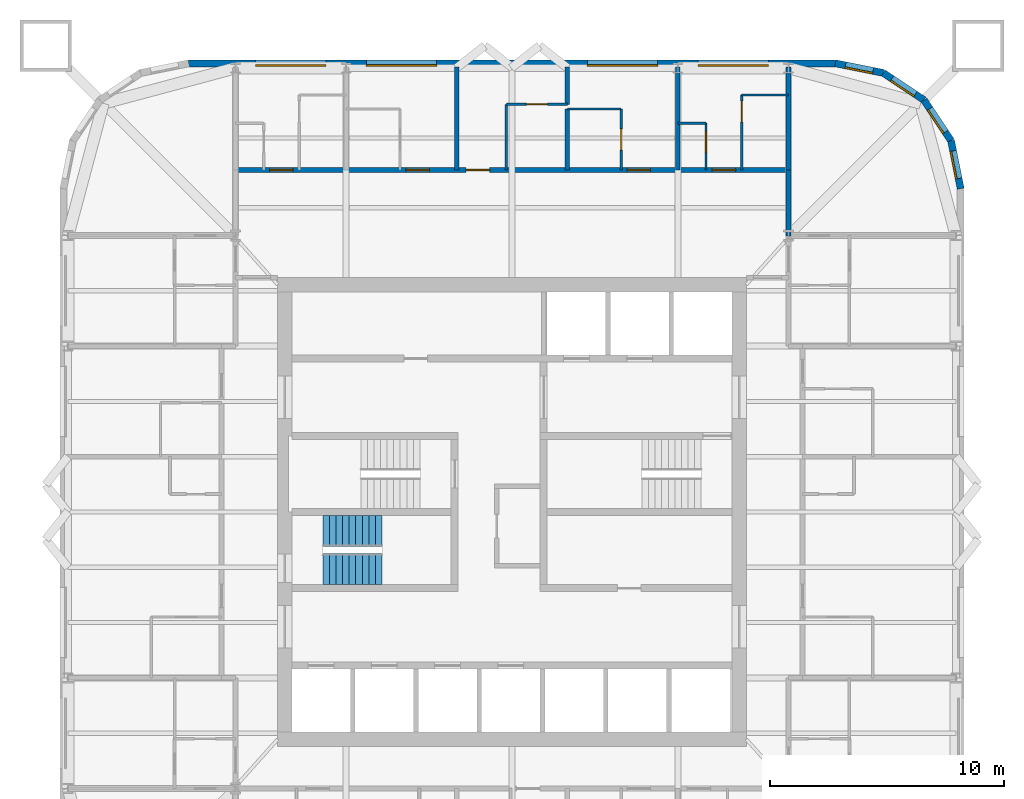
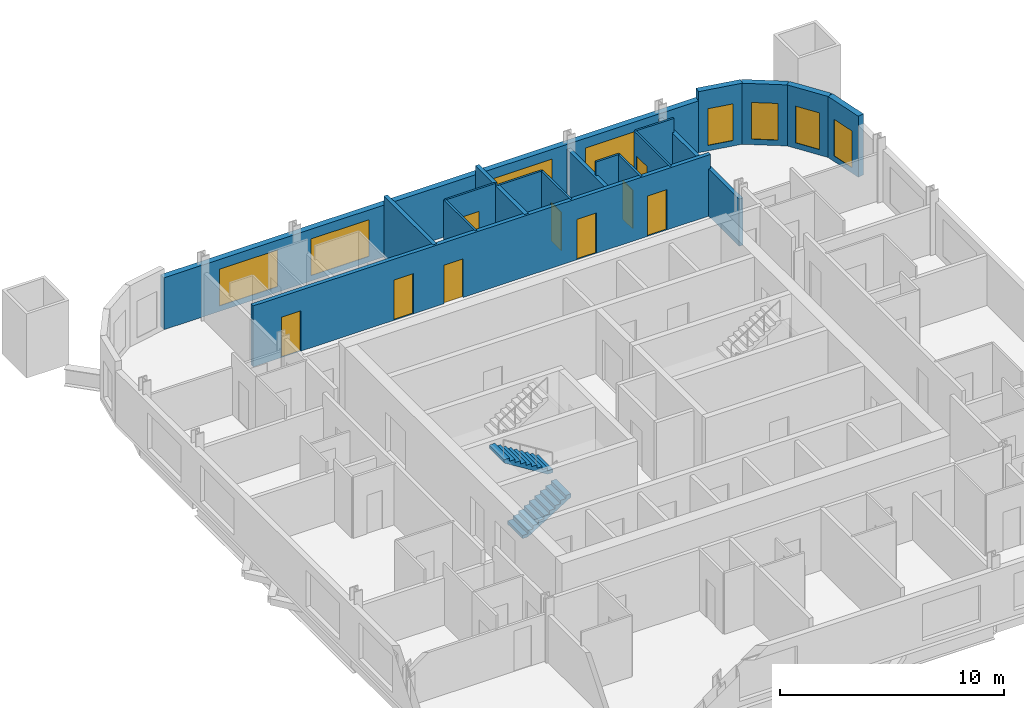
# One storey, part 7 of 9: 20 walls, 9 doors, 8 windows, 2 stair flights, 17 openings, 1 element without a shape of its own.
"""IFC4 building model written with IfcOpenShell, lengths in metres."""

import ifcopenshell
import ifcopenshell.guid

model = None  # the IFC model being written
_history = None  # IfcOwnerHistory: only IFC2X3 demands one
_inside = {}  # id of a spatial element -> (the spatial element, [elements in it])
_under = {}  # id of a project, library or spatial element -> (it, [spatial elements below it])
_declared = {}  # id of a project -> (the project, [libraries it declares])
_typed = {}  # id of a type object -> (the type object, [elements of that type])
_made_of = {}  # id of a material, layer set ... -> (it, [elements and type objects made of it])


def new_model(schema):
    """Start an empty IFC model of exactly this schema.

    Asked for "IFC4X3", IfcOpenShell would pick the latest addendum, in which some entities
    have other attributes; the version numbers below select the first issue.
    IFC2X3 requires an IfcOwnerHistory on every rooted entity: one is made here for all.
    """
    global model, _history
    if schema == "IFC4X3":
        model = ifcopenshell.file(schema_version=(4, 3, 0, 0))
    else:
        model = ifcopenshell.file(schema=schema)
    _inside.clear()
    _under.clear()
    _declared.clear()
    _typed.clear()
    _made_of.clear()
    _history = None
    if model.schema == "IFC2X3":
        org = make("IfcOrganization", Name="unknown")
        user = make(
            "IfcPersonAndOrganization",
            ThePerson=make("IfcPerson", FamilyName="unknown"),
            TheOrganization=org,
        )
        app = make(
            "IfcApplication",
            ApplicationDeveloper=org,
            Version="unknown",
            ApplicationFullName="unknown",
            ApplicationIdentifier="unknown",
        )
        _history = make(
            "IfcOwnerHistory",
            OwningUser=user,
            OwningApplication=app,
            ChangeAction="ADDED",
            CreationDate=0,
        )
    return model


def make(cls, **values):
    """One entity of the class cls with the attributes given. An attribute that is None is left unset."""
    return model.create_entity(
        cls, **{name: value for name, value in values.items() if value is not None}
    )


def rooted(cls, **values):
    """An entity with a GlobalId (a new one), such as an element, a storey or a relation."""
    return make(cls, GlobalId=ifcopenshell.guid.new(), OwnerHistory=_history, **values)


def si_unit(unit_type, name, prefix=None):
    """IfcSIUnit, for example si_unit("LENGTHUNIT", "METRE", prefix="MILLI")."""
    return make("IfcSIUnit", UnitType=unit_type, Prefix=prefix, Name=name)


def assignment(units):
    """IfcUnitAssignment: the units of a project."""
    return None if units is None else make("IfcUnitAssignment", Units=units)


def point(xyz):
    """IfcCartesianPoint."""
    return None if xyz is None else make("IfcCartesianPoint", Coordinates=xyz)


def direction(xyz):
    """IfcDirection."""
    return None if xyz is None else make("IfcDirection", DirectionRatios=xyz)


def frame(location, z_axis=None, x_axis=None):
    """IfcAxis2Placement3D, a coordinate frame: its origin and axes. An axis left out is left unset."""
    return make(
        "IfcAxis2Placement3D",
        Location=point(location),
        Axis=direction(z_axis),
        RefDirection=direction(x_axis),
    )


def frame_2d(location, x_axis=None):
    """IfcAxis2Placement2D, a coordinate frame in the plane: its origin and x axis."""
    return make(
        "IfcAxis2Placement2D", Location=point(location), RefDirection=direction(x_axis)
    )


def origin():
    """The frame at (0, 0, 0) with its axes left unset."""
    return frame((0.0, 0.0, 0.0))


def place(relative_to, where):
    """IfcLocalPlacement: puts the frame where relative to a parent placement (None: the world)."""
    return make(
        "IfcLocalPlacement", PlacementRelTo=relative_to, RelativePlacement=where
    )


def context(
    kind, dimensions, precision=None, world=None, true_north=None, identifier=None
):
    """IfcGeometricRepresentationContext, for example the 3D "Model" context."""
    return make(
        "IfcGeometricRepresentationContext",
        ContextIdentifier=identifier,
        ContextType=kind,
        CoordinateSpaceDimension=dimensions,
        Precision=precision,
        WorldCoordinateSystem=world,
        TrueNorth=true_north,
    )


def subcontext(parent, identifier, kind, view, scale=None):
    """IfcGeometricRepresentationSubContext, for example "Body" below "Model"."""
    return make(
        "IfcGeometricRepresentationSubContext",
        ContextIdentifier=identifier,
        ContextType=kind,
        ParentContext=parent,
        TargetScale=scale,
        TargetView=view,
    )


def project(units=None, contexts=None):
    """IfcProject with its units and contexts."""
    return rooted(
        "IfcProject",
        Name="project",
        RepresentationContexts=contexts,
        UnitsInContext=assignment(units),
    )


def spatial(cls, under=None, at=None, **own):
    """A site, building, storey or space (cls), placed at a placement, below another one or the project."""
    s = rooted(cls, ObjectPlacement=at, **own)
    if under is not None:
        _under.setdefault(under.id(), (under, []))[1].append(s)
    return s


def polyline(points):
    """IfcPolyline through the points."""
    return make("IfcPolyline", Points=[point(p) for p in points])


def profile(cls, at=None, kind="AREA", **sizes):
    """A parametric profile (cls). Its sizes go by their IFC names, for example OverallWidth=200.0."""
    return make(cls, ProfileType=kind, Position=at, **sizes)


def rectangle(**sizes):
    """IfcRectangleProfileDef."""
    return profile("IfcRectangleProfileDef", **sizes)


def outline(outer, holes=None, kind="AREA"):
    """IfcArbitraryClosedProfileDef: a profile drawn as a closed curve; with holes, ...WithVoids."""
    if holes is None:
        return make("IfcArbitraryClosedProfileDef", ProfileType=kind, OuterCurve=outer)
    return make(
        "IfcArbitraryProfileDefWithVoids",
        ProfileType=kind,
        OuterCurve=outer,
        InnerCurves=holes,
    )


def extrude(swept, where, along, depth):
    """IfcExtrudedAreaSolid: the profile swept, set in the frame where, extruded along a direction by depth."""
    return make(
        "IfcExtrudedAreaSolid",
        SweptArea=swept,
        Position=where,
        ExtrudedDirection=direction(along),
        Depth=depth,
    )


def shape(context_of_items, identifier, shape_type, items):
    """IfcShapeRepresentation: the items that make up one representation, for example the "Body"."""
    return make(
        "IfcShapeRepresentation",
        ContextOfItems=context_of_items,
        RepresentationIdentifier=identifier,
        RepresentationType=shape_type,
        Items=items,
    )


def material(Name=None, Category=None):
    """IfcMaterial."""
    return make("IfcMaterial", Name=Name, Category=Category)


def layer(
    of_material, thickness, ventilated=None, Name=None, Category=None, Priority=None
):
    """IfcMaterialLayer: one layer of a wall or slab, of a material (None: an air gap)."""
    return make(
        "IfcMaterialLayer",
        Material=of_material,
        LayerThickness=thickness,
        IsVentilated=ventilated,
        Name=Name,
        Category=Category,
        Priority=Priority,
    )


def layer_set(layers, Name=None):
    """IfcMaterialLayerSet."""
    return make("IfcMaterialLayerSet", MaterialLayers=layers, LayerSetName=Name)


def made_of(thing, what):
    """Note that an element or type object is made of a material, layer set ...; save() writes the relation."""
    if what is not None:
        _made_of.setdefault(what.id(), (what, []))[1].append(thing)
    return thing


def type_object(cls, material=None, **own):
    """A type object (cls), such as IfcWallType, which elements share."""
    return made_of(rooted(cls, **own), material)


def element(
    cls,
    number,
    at=None,
    inside=None,
    cuts=None,
    type_object=None,
    material=None,
    context=None,
    identifier="Body",
    shape_type=None,
    held_by="IfcProductDefinitionShape",
    body=None,
    shapes=None,
    **own,
):
    """One element of the class cls, such as IfcWall. Its Tag is "e" and its number.

    at: its placement. inside: the storey or other place that contains it. cuts: it is an
    opening in that element (IfcRelVoidsElement). A single representation is given by context,
    identifier, shape_type and body (its items); several are given by shapes. held_by: the class
    of the entity that holds the representations. save() writes the other relations.
    """
    e = rooted(cls, Tag="e%d" % number, ObjectPlacement=at, **own)
    if body is not None:
        shapes = [shape(context, identifier, shape_type, body)]
    if shapes is not None:
        e.Representation = make(held_by, Representations=shapes)
    if inside is not None:
        _inside.setdefault(inside.id(), (inside, []))[1].append(e)
    if cuts is not None:
        rooted(
            "IfcRelVoidsElement", RelatingBuildingElement=cuts, RelatedOpeningElement=e
        )
    if type_object is not None:
        _typed.setdefault(type_object.id(), (type_object, []))[1].append(e)
    return made_of(e, material)


def fill(opening, filler):
    """IfcRelFillsElement: the door or window that sits in an opening."""
    return rooted(
        "IfcRelFillsElement",
        RelatingOpeningElement=opening,
        RelatedBuildingElement=filler,
    )


def aggregate(whole, parts):
    """IfcRelAggregates: a whole, such as a stair, and the parts it consists of."""
    return rooted("IfcRelAggregates", RelatingObject=whole, RelatedObjects=parts)


def save(model, path):
    """Write the relations noted so far, then the file.

    IfcRelAggregates (storeys below a building ...), IfcRelContainedInSpatialStructure (elements
    in a storey), IfcRelDefinesByType, IfcRelAssociatesMaterial and IfcRelDeclares: one each for
    every whole, place, type object, material and project.
    """
    for whole, parts in _under.values():
        aggregate(whole, parts)
    for where, things in _inside.values():
        rooted(
            "IfcRelContainedInSpatialStructure",
            RelatedElements=things,
            RelatingStructure=where,
        )
    for kind, things in _typed.values():
        rooted("IfcRelDefinesByType", RelatedObjects=things, RelatingType=kind)
    for what, things in _made_of.values():
        rooted("IfcRelAssociatesMaterial", RelatedObjects=things, RelatingMaterial=what)
    for by, libraries in _declared.values():
        rooted("IfcRelDeclares", RelatingContext=by, RelatedDefinitions=libraries)
    model.write(path)


model = new_model("IFC4")

# Units and contexts
model_context = context("Model", 3, precision=1e-05, world=origin(), true_north=direction((0.0, 1.0)))
body_context = subcontext(model_context, "Body", "Model", "MODEL_VIEW")
ifc_project = project(units=[si_unit("LENGTHUNIT", "METRE"), si_unit("AREAUNIT", "SQUARE_METRE"), si_unit("VOLUMEUNIT", "CUBIC_METRE"), si_unit("PLANEANGLEUNIT", "RADIAN"), si_unit("MASSUNIT", "GRAM", prefix="KILO")], contexts=[model_context])

# Site, building, storey
site_placement = place(None, origin())
site = spatial("IfcSite", under=ifc_project, at=site_placement, CompositionType="ELEMENT")
building_placement = place(site_placement, origin())
building = spatial("IfcBuilding", under=site, at=building_placement, Name="Turquesa Mirador Hotel Tower", CompositionType="ELEMENT")
storey_placement = place(building_placement, frame((0.0, 0.0, 189.800048828125)))
storey = spatial("IfcBuildingStorey", under=building, at=storey_placement, Name="L51", CompositionType="ELEMENT", Elevation=189.800048828125)

# Walls
ifc_material_1 = material(Name="Gypsum board on steel studs", Category="steel")
ifc_layer_1 = layer(ifc_material_1, 0.10009765625)
ifc_layer_set_1 = layer_set([ifc_layer_1], Name="BATHROOM WALL 100")
wall_type_1 = type_object("IfcWallType", Name="BATHROOM WALL 100", PredefinedType="PARTITIONING", material=ifc_layer_set_1)
wall_1_placement = place(storey_placement, frame((62.080078125, 61.60009765625, 0.0), z_axis=(0.0, 0.0, 1.0), x_axis=(1.0, 0.0, 0.0)))
element("IfcWall", 1, at=wall_1_placement, inside=storey, type_object=wall_type_1, Name="Partition L51 025", PredefinedType="PARTITIONING", context=body_context, shape_type="SweptSolid", body=[
    extrude(rectangle(XDim=1.199951171875, YDim=0.10009765625, at=frame_2d((0.60009765625, 0.0))), origin(), (0.0, 0.0, 1.0), 3.329833984375),
])
wall_2_placement = place(storey_placement, frame((57.360107421875, 62.199951171875, 0.0), z_axis=(0.0, 0.0, 1.0), x_axis=(1.0, 0.0, 0.0)))
element("IfcWall", 2, at=wall_2_placement, inside=storey, type_object=wall_type_1, Name="Partition L51 027", PredefinedType="PARTITIONING", context=body_context, shape_type="SweptSolid", body=[
    extrude(rectangle(XDim=2.2998046875, YDim=0.10009765625, at=frame_2d((1.14990234375, 0.0))), origin(), (0.0, 0.0, 1.0), 3.329833984375),
])

# Wall, opening, door
wall_3_placement = place(storey_placement, frame((54.760009765625, 62.39990234375, 0.0), z_axis=(0.0, 0.0, 1.0), x_axis=(1.0, 0.0, 0.0)))
wall_3 = element("IfcWall", 3, at=wall_3_placement, inside=storey, type_object=wall_type_1, Name="Partition L51 028", PredefinedType="PARTITIONING", context=body_context, shape_type="SweptSolid", body=[
    extrude(rectangle(XDim=2.60009765625, YDim=0.10009765625, at=frame_2d((1.300048828125, 0.0))), origin(), (0.0, 0.0, 1.0), 3.329833984375),
])
opening_1_placement = place(wall_3_placement, frame((0.85009765625, 0.0, 0.0)))
opening_1 = element("IfcOpeningElement", 4, at=opening_1_placement, cuts=wall_3, Name="Opening D02", PredefinedType="OPENING", context=body_context, shape_type="SweptSolid", body=[
    extrude(rectangle(XDim=0.89990234375, YDim=2.10009765625, at=frame_2d((0.449951171875, 1.050048828125))), frame((0.0, 0.06005859375, 0.0), z_axis=(0.0, -1.0, 0.0), x_axis=(1.0, 0.0, 0.0)), (0.0, 0.0, 1.0), 0.1201171875),
])
ifc_material_2 = material(Name="Timber veneered door", Category="wood")
door_type_1 = type_object("IfcDoorType", Name="DOOR 900X2100 EN-SUITE", OperationType="SINGLE_SWING_RIGHT", PredefinedType="DOOR", material=ifc_material_2)
door_1_placement = place(opening_1_placement, origin())
door_1 = element("IfcDoor", 5, at=door_1_placement, inside=storey, type_object=door_type_1, Name="Door 5103B", OperationType="SINGLE_SWING_RIGHT", OverallHeight=2.10009765625, OverallWidth=0.89990234375, PredefinedType="DOOR", context=body_context, shape_type="SweptSolid", body=[
    extrude(rectangle(XDim=0.89990234375, YDim=2.10009765625, at=frame_2d((0.449951171875, 1.050048828125))), frame((0.0, 0.02490234375, 0.0), z_axis=(0.0, -1.0, 0.0), x_axis=(1.0, 0.0, 0.0)), (0.0, 0.0, 1.0), 0.050048828125),
])
fill(opening_1, door_1)

# Walls
wall_4_placement = place(storey_placement, frame((64.800048828125, 62.800048828125, 0.0), z_axis=(0.0, 0.0, 1.0), x_axis=(1.0, 0.0, 0.0)))
element("IfcWall", 6, at=wall_4_placement, inside=storey, type_object=wall_type_1, Name="Partition L51 030", PredefinedType="PARTITIONING", context=body_context, shape_type="SweptSolid", body=[
    extrude(rectangle(XDim=2.0, YDim=0.10009765625, at=frame_2d((1.0, 0.0))), origin(), (0.0, 0.0, 1.0), 3.329833984375),
])
wall_5_placement = place(storey_placement, frame((54.760009765625, 59.60009765625, 0.0), z_axis=(0.0, 0.0, 1.0), x_axis=(0.0, 1.0, 0.0)))
element("IfcWall", 7, at=wall_5_placement, inside=storey, type_object=wall_type_1, Name="Partition L51 042", PredefinedType="PARTITIONING", context=body_context, shape_type="SweptSolid", body=[
    extrude(rectangle(XDim=2.7998046875, YDim=0.10009765625, at=frame_2d((1.39990234375, 0.0))), origin(), (0.0, 0.0, 1.0), 3.329833984375),
])

# Wall, opening, door
wall_6_placement = place(storey_placement, frame((59.659912109375, 59.60009765625, 0.0), z_axis=(0.0, 0.0, 1.0), x_axis=(0.0, 1.0, 0.0)))
wall_6 = element("IfcWall", 8, at=wall_6_placement, inside=storey, type_object=wall_type_1, Name="Partition L51 079", PredefinedType="PARTITIONING", context=body_context, shape_type="SweptSolid", body=[
    extrude(rectangle(XDim=2.599853515625, YDim=0.10009765625, at=frame_2d((1.2998046875, 0.0))), origin(), (0.0, 0.0, 1.0), 3.329833984375),
])
opening_2_placement = place(wall_6_placement, frame((0.85009765625, 0.0, 0.0)))
opening_2 = element("IfcOpeningElement", 9, at=opening_2_placement, cuts=wall_6, Name="Opening D02", PredefinedType="OPENING", context=body_context, shape_type="SweptSolid", body=[
    extrude(rectangle(XDim=0.89990234375, YDim=2.10009765625, at=frame_2d((0.449951171875, 1.050048828125))), frame((0.0, 0.06005859375, 0.0), z_axis=(0.0, -1.0, 0.0), x_axis=(1.0, 0.0, 0.0)), (0.0, 0.0, 1.0), 0.1201171875),
])
door_2_placement = place(opening_2_placement, origin())
door_2 = element("IfcDoor", 10, at=door_2_placement, inside=storey, type_object=door_type_1, Name="Door 5104B", OperationType="SINGLE_SWING_RIGHT", OverallHeight=2.10009765625, OverallWidth=0.89990234375, PredefinedType="DOOR", context=body_context, shape_type="SweptSolid", body=[
    extrude(rectangle(XDim=0.89990234375, YDim=2.10009765625, at=frame_2d((0.449951171875, 1.050048828125))), frame((0.0, 0.02490234375, 0.0), z_axis=(0.0, -1.0, 0.0), x_axis=(1.0, 0.0, 0.0)), (0.0, 0.0, 1.0), 0.050048828125),
])
fill(opening_2, door_2)

wall_7_placement = place(storey_placement, frame((63.280029296875, 59.60009765625, 0.0), z_axis=(0.0, 0.0, 1.0), x_axis=(0.0, 1.0, 0.0)))
wall_7 = element("IfcWall", 11, at=wall_7_placement, inside=storey, type_object=wall_type_1, Name="Partition L51 082", PredefinedType="PARTITIONING", context=body_context, shape_type="SweptSolid", body=[
    extrude(rectangle(XDim=2.0, YDim=0.10009765625, at=frame_2d((1.0, 0.0))), origin(), (0.0, 0.0, 1.0), 3.329833984375),
])
opening_3_placement = place(wall_7_placement, frame((0.75, 0.0, 0.0)))
opening_3 = element("IfcOpeningElement", 12, at=opening_3_placement, cuts=wall_7, Name="Opening D06", PredefinedType="OPENING", context=body_context, shape_type="SweptSolid", body=[
    extrude(rectangle(XDim=0.89990234375, YDim=2.10009765625, at=frame_2d((0.449951171875, 1.050048828125))), frame((0.0, 0.06005859375, 0.0), z_axis=(0.0, -1.0, 0.0), x_axis=(1.0, 0.0, 0.0)), (0.0, 0.0, 1.0), 0.1201171875),
])
ifc_material_3 = material(Name="Laminate door", Category="wood")
door_type_2 = type_object("IfcDoorType", Name="DOOR 900X2100 WC", OperationType="SINGLE_SWING_LEFT", PredefinedType="DOOR", material=ifc_material_3)
door_3_placement = place(opening_3_placement, origin())
door_3 = element("IfcDoor", 13, at=door_3_placement, inside=storey, type_object=door_type_2, Name="Door 5105W", OperationType="SINGLE_SWING_LEFT", OverallHeight=2.10009765625, OverallWidth=0.89990234375, PredefinedType="DOOR", context=body_context, shape_type="SweptSolid", body=[
    extrude(rectangle(XDim=0.89990234375, YDim=2.10009765625, at=frame_2d((0.449951171875, 1.050048828125))), frame((0.0, 0.02490234375, 0.0), z_axis=(0.0, -1.0, 0.0), x_axis=(1.0, 0.0, 0.0)), (0.0, 0.0, 1.0), 0.050048828125),
])
fill(opening_3, door_3)

wall_8_placement = place(storey_placement, frame((64.800048828125, 59.60009765625, 0.0), z_axis=(0.0, 0.0, 1.0), x_axis=(0.0, 1.0, 0.0)))
wall_8 = element("IfcWall", 14, at=wall_8_placement, inside=storey, type_object=wall_type_1, Name="Partition L51 084", PredefinedType="PARTITIONING", context=body_context, shape_type="SweptSolid", body=[
    extrude(rectangle(XDim=3.199951171875, YDim=0.10009765625, at=frame_2d((1.60009765625, 0.0))), origin(), (0.0, 0.0, 1.0), 3.329833984375),
])
opening_4_placement = place(wall_8_placement, frame((2.050048828125, 0.0, 0.0)))
opening_4 = element("IfcOpeningElement", 15, at=opening_4_placement, cuts=wall_8, Name="Opening D02", PredefinedType="OPENING", context=body_context, shape_type="SweptSolid", body=[
    extrude(rectangle(XDim=0.89990234375, YDim=2.10009765625, at=frame_2d((0.449951171875, 1.050048828125))), frame((0.0, 0.06005859375, 0.0), z_axis=(0.0, -1.0, 0.0), x_axis=(1.0, 0.0, 0.0)), (0.0, 0.0, 1.0), 0.1201171875),
])
door_4_placement = place(opening_4_placement, origin())
door_4 = element("IfcDoor", 16, at=door_4_placement, inside=storey, type_object=door_type_1, Name="Door 5105B", OperationType="SINGLE_SWING_RIGHT", OverallHeight=2.10009765625, OverallWidth=0.89990234375, PredefinedType="DOOR", context=body_context, shape_type="SweptSolid", body=[
    extrude(rectangle(XDim=0.89990234375, YDim=2.10009765625, at=frame_2d((0.449951171875, 1.050048828125))), frame((0.0, 0.02490234375, 0.0), z_axis=(0.0, -1.0, 0.0), x_axis=(1.0, 0.0, 0.0)), (0.0, 0.0, 1.0), 0.050048828125),
])
fill(opening_4, door_4)

# Wall, openings, doors
ifc_material_4 = material(Name="Fire-rated gypsum board on steel studs", Category="steel")
ifc_layer_2 = layer(ifc_material_4, 0.199951171875)
ifc_layer_set_2 = layer_set([ifc_layer_2], Name="CORRIDOR WALL 200")
wall_type_2 = type_object("IfcWallType", Name="CORRIDOR WALL 200", PredefinedType="PARTITIONING", material=ifc_layer_set_2)
wall_9_placement = place(storey_placement, frame((43.199951171875, 59.60009765625, 0.0), z_axis=(0.0, 0.0, 1.0), x_axis=(1.0, 0.0, 0.0)))
wall_9 = element("IfcWall", 17, at=wall_9_placement, inside=storey, type_object=wall_type_2, Name="Partition L51 023", PredefinedType="PARTITIONING", context=body_context, shape_type="SweptSolid", body=[
    extrude(rectangle(XDim=23.60009765625, YDim=0.199951171875, at=frame_2d((11.800048828125, 0.0))), origin(), (0.0, 0.0, 1.0), 3.329833984375),
])
opening_5_placement = place(wall_9_placement, frame((1.4599609375, 0.0, 0.0)))
opening_5 = element("IfcOpeningElement", 18, at=opening_5_placement, cuts=wall_9, Name="Opening D01", PredefinedType="OPENING", context=body_context, shape_type="SweptSolid", body=[
    extrude(rectangle(XDim=1.0, YDim=2.199951171875, at=frame_2d((0.5, 1.10009765625))), frame((0.0, 0.10986328125, 0.0), z_axis=(0.0, -1.0, 0.0), x_axis=(1.0, 0.0, 0.0)), (0.0, 0.0, 1.0), 0.219970703125),
])
opening_6_placement = place(wall_9_placement, frame((7.27001953125, 0.0, 0.0)))
opening_6 = element("IfcOpeningElement", 19, at=opening_6_placement, cuts=wall_9, Name="Opening D01", PredefinedType="OPENING", context=body_context, shape_type="SweptSolid", body=[
    extrude(rectangle(XDim=1.0, YDim=2.199951171875, at=frame_2d((0.5, 1.10009765625))), frame((0.0, 0.10986328125, 0.0), z_axis=(0.0, -1.0, 0.0), x_axis=(1.0, 0.0, 0.0)), (0.0, 0.0, 1.0), 0.219970703125),
])
opening_7_placement = place(wall_9_placement, frame((9.840087890625, 0.0, 0.0)))
opening_7 = element("IfcOpeningElement", 20, at=opening_7_placement, cuts=wall_9, Name="Opening D05", PredefinedType="OPENING", context=body_context, shape_type="SweptSolid", body=[
    extrude(rectangle(XDim=1.0, YDim=2.10009765625, at=frame_2d((0.5, 1.050048828125))), frame((0.0, 0.10986328125, 0.0), z_axis=(0.0, -1.0, 0.0), x_axis=(1.0, 0.0, 0.0)), (0.0, 0.0, 1.0), 0.219970703125),
])
opening_8_placement = place(wall_9_placement, frame((16.7099609375, 0.0, 0.0)))
opening_8 = element("IfcOpeningElement", 21, at=opening_8_placement, cuts=wall_9, Name="Opening D01", PredefinedType="OPENING", context=body_context, shape_type="SweptSolid", body=[
    extrude(rectangle(XDim=1.0, YDim=2.199951171875, at=frame_2d((0.5, 1.10009765625))), frame((0.0, 0.10986328125, 0.0), z_axis=(0.0, -1.0, 0.0), x_axis=(1.0, 0.0, 0.0)), (0.0, 0.0, 1.0), 0.219970703125),
])
opening_9_placement = place(wall_9_placement, frame((20.340087890625, 0.0, 0.0)))
opening_9 = element("IfcOpeningElement", 22, at=opening_9_placement, cuts=wall_9, Name="Opening D01", PredefinedType="OPENING", context=body_context, shape_type="SweptSolid", body=[
    extrude(rectangle(XDim=1.0, YDim=2.199951171875, at=frame_2d((0.5, 1.10009765625))), frame((0.0, 0.10986328125, 0.0), z_axis=(0.0, -1.0, 0.0), x_axis=(1.0, 0.0, 0.0)), (0.0, 0.0, 1.0), 0.219970703125),
])
ifc_material_5 = material(Name="Steel fire door", Category="steel")
door_type_3 = type_object("IfcDoorType", Name="DOOR 1000X2100 SERVICE", OperationType="SINGLE_SWING_LEFT", PredefinedType="DOOR", material=ifc_material_5)
door_5_placement = place(opening_7_placement, origin())
door_5 = element("IfcDoor", 23, at=door_5_placement, inside=storey, type_object=door_type_3, Name="Door 5103", OperationType="SINGLE_SWING_LEFT", OverallHeight=2.10009765625, OverallWidth=1.0, PredefinedType="DOOR", context=body_context, shape_type="SweptSolid", body=[
    extrude(rectangle(XDim=1.0, YDim=2.10009765625, at=frame_2d((0.5, 1.050048828125))), frame((0.0, 0.02490234375, 0.0), z_axis=(0.0, -1.0, 0.0), x_axis=(1.0, 0.0, 0.0)), (0.0, 0.0, 1.0), 0.050048828125),
])
fill(opening_7, door_5)
ifc_material_6 = material(Name="Timber veneered fire door", Category="wood")
door_type_4 = type_object("IfcDoorType", Name="DOOR 1000X2200 GUEST ENTRY", OperationType="SINGLE_SWING_LEFT", PredefinedType="DOOR", material=ifc_material_6)
door_6_placement = place(opening_5_placement, origin())
door_6 = element("IfcDoor", 24, at=door_6_placement, inside=storey, type_object=door_type_4, Name="Door 5101", OperationType="SINGLE_SWING_LEFT", OverallHeight=2.199951171875, OverallWidth=1.0, PredefinedType="DOOR", context=body_context, shape_type="SweptSolid", body=[
    extrude(rectangle(XDim=1.0, YDim=2.199951171875, at=frame_2d((0.5, 1.10009765625))), frame((0.0, 0.02490234375, 0.0), z_axis=(0.0, -1.0, 0.0), x_axis=(1.0, 0.0, 0.0)), (0.0, 0.0, 1.0), 0.050048828125),
])
fill(opening_5, door_6)
door_7_placement = place(opening_6_placement, origin())
door_7 = element("IfcDoor", 25, at=door_7_placement, inside=storey, type_object=door_type_4, Name="Door 5102", OperationType="SINGLE_SWING_LEFT", OverallHeight=2.199951171875, OverallWidth=1.0, PredefinedType="DOOR", context=body_context, shape_type="SweptSolid", body=[
    extrude(rectangle(XDim=1.0, YDim=2.199951171875, at=frame_2d((0.5, 1.10009765625))), frame((0.0, 0.02490234375, 0.0), z_axis=(0.0, -1.0, 0.0), x_axis=(1.0, 0.0, 0.0)), (0.0, 0.0, 1.0), 0.050048828125),
])
fill(opening_6, door_7)
door_8_placement = place(opening_8_placement, origin())
door_8 = element("IfcDoor", 26, at=door_8_placement, inside=storey, type_object=door_type_4, Name="Door 5104", OperationType="SINGLE_SWING_LEFT", OverallHeight=2.199951171875, OverallWidth=1.0, PredefinedType="DOOR", context=body_context, shape_type="SweptSolid", body=[
    extrude(rectangle(XDim=1.0, YDim=2.199951171875, at=frame_2d((0.5, 1.10009765625))), frame((0.0, 0.02490234375, 0.0), z_axis=(0.0, -1.0, 0.0), x_axis=(1.0, 0.0, 0.0)), (0.0, 0.0, 1.0), 0.050048828125),
])
fill(opening_8, door_8)
door_9_placement = place(opening_9_placement, origin())
door_9 = element("IfcDoor", 27, at=door_9_placement, inside=storey, type_object=door_type_4, Name="Door 5105", OperationType="SINGLE_SWING_LEFT", OverallHeight=2.199951171875, OverallWidth=1.0, PredefinedType="DOOR", context=body_context, shape_type="SweptSolid", body=[
    extrude(rectangle(XDim=1.0, YDim=2.199951171875, at=frame_2d((0.5, 1.10009765625))), frame((0.0, 0.02490234375, 0.0), z_axis=(0.0, -1.0, 0.0), x_axis=(1.0, 0.0, 0.0)), (0.0, 0.0, 1.0), 0.050048828125),
])
fill(opening_9, door_9)

# Wall
wall_10_placement = place(storey_placement, frame((66.800048828125, 56.780029296875, 0.0), z_axis=(0.0, 0.0, 1.0), x_axis=(0.0, 1.0, 0.0)))
element("IfcWall", 28, at=wall_10_placement, inside=storey, type_object=wall_type_2, Name="Partition L51 086", PredefinedType="PARTITIONING", context=body_context, shape_type="SweptSolid", body=[
    extrude(rectangle(XDim=2.820068359375, YDim=0.199951171875, at=frame_2d((1.41015625, 0.0))), origin(), (0.0, 0.0, 1.0), 2.572998046875),
])

# Wall, opening, window
ifc_material_7 = material(Name="Limestone cladding on concrete block", Category="masonry")
ifc_layer_3 = layer(ifc_material_7, 0.300048828125)
ifc_layer_set_3 = layer_set([ifc_layer_3], Name="FACADE WALL 300 STONE SCREEN")
wall_type_3 = type_object("IfcWallType", Name="FACADE WALL 300 STONE SCREEN", PredefinedType="SOLIDWALL", material=ifc_layer_set_3)
wall_11_placement = place(storey_placement, frame((74.14990234375, 58.800048828125, 0.0), z_axis=(0.0, 0.0, 1.0), x_axis=(-0.195081421501, 0.980787050784, 0.0)))
wall_11 = element("IfcWall", 29, at=wall_11_placement, inside=storey, type_object=wall_type_3, Name="Facade wall L51 05", PredefinedType="SOLIDWALL", context=body_context, shape_type="SweptSolid", body=[
    extrude(rectangle(XDim=2.08740234375, YDim=0.300048828125, at=frame_2d((1.043701171875, 0.0))), origin(), (0.0, 0.0, 1.0), 3.329833984375),
])
opening_10_placement = place(wall_11_placement, frame((0.443603515625, 0.0, 0.300048828125)))
opening_10 = element("IfcOpeningElement", 30, at=opening_10_placement, cuts=wall_11, Name="Opening WN4", PredefinedType="OPENING", context=body_context, shape_type="SweptSolid", body=[
    extrude(rectangle(XDim=1.199951171875, YDim=2.0, at=frame_2d((0.60009765625, 1.0))), frame((0.0, 0.159912109375, 0.0), z_axis=(0.0, -1.0, 0.0), x_axis=(1.0, 0.0, 0.0)), (0.0, 0.0, 1.0), 0.320068359375),
])
ifc_material_8 = material(Name="Ceramic-fritted laminated glass", Category="glass")
window_type_1 = type_object("IfcWindowType", Name="FRITTED CORNER WINDOW 1200X2000", PartitioningType="DOUBLE_PANEL_HORIZONTAL", PredefinedType="WINDOW", material=ifc_material_8)
window_1_placement = place(opening_10_placement, origin())
window_1 = element("IfcWindow", 31, at=window_1_placement, inside=storey, type_object=window_type_1, Name="Window L51", OverallHeight=2.0, OverallWidth=1.199951171875, PartitioningType="SINGLE_PANEL", PredefinedType="WINDOW", context=body_context, shape_type="SweptSolid", body=[
    extrude(rectangle(XDim=1.199951171875, YDim=2.0, at=frame_2d((0.60009765625, 1.0))), frame((0.0, 0.130126953125, 0.0), z_axis=(0.0, -1.0, 0.0), x_axis=(1.0, 0.0, 0.0)), (0.0, 0.0, 1.0), 0.06005859375),
])
fill(opening_10, window_1)

wall_12_placement = place(storey_placement, frame((73.74267578125, 60.847412109375, 0.0), z_axis=(0.0, 0.0, 1.0), x_axis=(-0.555563607591, 0.831474039234, 0.0)))
wall_12 = element("IfcWall", 32, at=wall_12_placement, inside=storey, type_object=wall_type_3, Name="Facade wall L51 06", PredefinedType="SOLIDWALL", context=body_context, shape_type="SweptSolid", body=[
    extrude(rectangle(XDim=2.08740234375, YDim=0.300048828125, at=frame_2d((1.043701171875, 0.0))), origin(), (0.0, 0.0, 1.0), 3.329833984375),
])
opening_11_placement = place(wall_12_placement, frame((0.443603515625, 0.0, 0.300048828125)))
opening_11 = element("IfcOpeningElement", 33, at=opening_11_placement, cuts=wall_12, Name="Opening WN4", PredefinedType="OPENING", context=body_context, shape_type="SweptSolid", body=[
    extrude(rectangle(XDim=1.199951171875, YDim=2.0, at=frame_2d((0.60009765625, 1.0))), frame((0.0, 0.159912109375, 0.0), z_axis=(0.0, -1.0, 0.0), x_axis=(1.0, 0.0, 0.0)), (0.0, 0.0, 1.0), 0.320068359375),
])
window_2_placement = place(opening_11_placement, origin())
window_2 = element("IfcWindow", 34, at=window_2_placement, inside=storey, type_object=window_type_1, Name="Window L51", OverallHeight=2.0, OverallWidth=1.199951171875, PartitioningType="SINGLE_PANEL", PredefinedType="WINDOW", context=body_context, shape_type="SweptSolid", body=[
    extrude(rectangle(XDim=1.199951171875, YDim=2.0, at=frame_2d((0.60009765625, 1.0))), frame((0.0, 0.130126953125, 0.0), z_axis=(0.0, -1.0, 0.0), x_axis=(1.0, 0.0, 0.0)), (0.0, 0.0, 1.0), 0.06005859375),
])
fill(opening_11, window_2)

wall_13_placement = place(storey_placement, frame((72.5830078125, 62.5830078125, 0.0), z_axis=(0.0, 0.0, 1.0), x_axis=(-0.831474039234, 0.555563607591, 0.0)))
wall_13 = element("IfcWall", 35, at=wall_13_placement, inside=storey, type_object=wall_type_3, Name="Facade wall L51 07", PredefinedType="SOLIDWALL", context=body_context, shape_type="SweptSolid", body=[
    extrude(rectangle(XDim=2.08740234375, YDim=0.300048828125, at=frame_2d((1.043701171875, 0.0))), origin(), (0.0, 0.0, 1.0), 3.329833984375),
])
opening_12_placement = place(wall_13_placement, frame((0.443603515625, 0.0, 0.300048828125)))
opening_12 = element("IfcOpeningElement", 36, at=opening_12_placement, cuts=wall_13, Name="Opening WN4", PredefinedType="OPENING", context=body_context, shape_type="SweptSolid", body=[
    extrude(rectangle(XDim=1.199951171875, YDim=2.0, at=frame_2d((0.60009765625, 1.0))), frame((0.0, 0.159912109375, 0.0), z_axis=(0.0, -1.0, 0.0), x_axis=(1.0, 0.0, 0.0)), (0.0, 0.0, 1.0), 0.320068359375),
])
window_3_placement = place(opening_12_placement, origin())
window_3 = element("IfcWindow", 37, at=window_3_placement, inside=storey, type_object=window_type_1, Name="Window L51", OverallHeight=2.0, OverallWidth=1.199951171875, PartitioningType="SINGLE_PANEL", PredefinedType="WINDOW", context=body_context, shape_type="SweptSolid", body=[
    extrude(rectangle(XDim=1.199951171875, YDim=2.0, at=frame_2d((0.60009765625, 1.0))), frame((0.0, 0.130126953125, 0.0), z_axis=(0.0, -1.0, 0.0), x_axis=(1.0, 0.0, 0.0)), (0.0, 0.0, 1.0), 0.06005859375),
])
fill(opening_12, window_3)

wall_14_placement = place(storey_placement, frame((70.847412109375, 63.74267578125, 0.0), z_axis=(0.0, 0.0, 1.0), x_axis=(-0.980787050784, 0.195081421501, 0.0)))
wall_14 = element("IfcWall", 38, at=wall_14_placement, inside=storey, type_object=wall_type_3, Name="Facade wall L51 08", PredefinedType="SOLIDWALL", context=body_context, shape_type="SweptSolid", body=[
    extrude(rectangle(XDim=2.08740234375, YDim=0.300048828125, at=frame_2d((1.043701171875, 0.0))), origin(), (0.0, 0.0, 1.0), 3.329833984375),
])
opening_13_placement = place(wall_14_placement, frame((0.443603515625, 0.0, 0.300048828125)))
opening_13 = element("IfcOpeningElement", 39, at=opening_13_placement, cuts=wall_14, Name="Opening WN4", PredefinedType="OPENING", context=body_context, shape_type="SweptSolid", body=[
    extrude(rectangle(XDim=1.199951171875, YDim=2.0, at=frame_2d((0.60009765625, 1.0))), frame((0.0, 0.159912109375, 0.0), z_axis=(0.0, -1.0, 0.0), x_axis=(1.0, 0.0, 0.0)), (0.0, 0.0, 1.0), 0.320068359375),
])
window_4_placement = place(opening_13_placement, origin())
window_4 = element("IfcWindow", 40, at=window_4_placement, inside=storey, type_object=window_type_1, Name="Window L51", OverallHeight=2.0, OverallWidth=1.199951171875, PartitioningType="SINGLE_PANEL", PredefinedType="WINDOW", context=body_context, shape_type="SweptSolid", body=[
    extrude(rectangle(XDim=1.199951171875, YDim=2.0, at=frame_2d((0.60009765625, 1.0))), frame((0.0, 0.130126953125, 0.0), z_axis=(0.0, -1.0, 0.0), x_axis=(1.0, 0.0, 0.0)), (0.0, 0.0, 1.0), 0.06005859375),
])
fill(opening_13, window_4)

# Wall, openings, windows
wall_15_placement = place(storey_placement, frame((68.800048828125, 64.14990234375, 0.0), z_axis=(0.0, 0.0, 1.0), x_axis=(-1.0, 0.0, 0.0)))
wall_15 = element("IfcWall", 41, at=wall_15_placement, inside=storey, type_object=wall_type_3, Name="Facade wall L51 09", PredefinedType="SOLIDWALL", context=body_context, shape_type="SweptSolid", body=[
    extrude(rectangle(XDim=27.60009765625, YDim=0.300048828125, at=frame_2d((13.800048828125, 0.0))), origin(), (0.0, 0.0, 1.0), 2.829833984375),
])
opening_14_placement = place(wall_15_placement, frame((2.860107421875, 0.0, 0.300048828125)))
opening_14 = element("IfcOpeningElement", 42, at=opening_14_placement, cuts=wall_15, Name="Opening WN1", PredefinedType="OPENING", context=body_context, shape_type="SweptSolid", body=[
    extrude(rectangle(XDim=3.0, YDim=2.0, at=frame_2d((1.5, 1.0))), frame((0.0, 0.159912109375, 0.0), z_axis=(0.0, -1.0, 0.0), x_axis=(1.0, 0.0, 0.0)), (0.0, 0.0, 1.0), 0.320068359375),
])
opening_15_placement = place(wall_15_placement, frame((7.580078125, 0.0, 0.300048828125)))
opening_15 = element("IfcOpeningElement", 43, at=opening_15_placement, cuts=wall_15, Name="Opening WN1", PredefinedType="OPENING", context=body_context, shape_type="SweptSolid", body=[
    extrude(rectangle(XDim=3.0, YDim=2.0, at=frame_2d((1.5, 1.0))), frame((0.0, 0.159912109375, 0.0), z_axis=(0.0, -1.0, 0.0), x_axis=(1.0, 0.0, 0.0)), (0.0, 0.0, 1.0), 0.320068359375),
])
opening_16_placement = place(wall_15_placement, frame((17.02001953125, 0.0, 0.300048828125)))
opening_16 = element("IfcOpeningElement", 44, at=opening_16_placement, cuts=wall_15, Name="Opening WN1", PredefinedType="OPENING", context=body_context, shape_type="SweptSolid", body=[
    extrude(rectangle(XDim=3.0, YDim=2.0, at=frame_2d((1.5, 1.0))), frame((0.0, 0.159912109375, 0.0), z_axis=(0.0, -1.0, 0.0), x_axis=(1.0, 0.0, 0.0)), (0.0, 0.0, 1.0), 0.320068359375),
])
opening_17_placement = place(wall_15_placement, frame((21.739990234375, 0.0, 0.300048828125)))
opening_17 = element("IfcOpeningElement", 45, at=opening_17_placement, cuts=wall_15, Name="Opening WN1", PredefinedType="OPENING", context=body_context, shape_type="SweptSolid", body=[
    extrude(rectangle(XDim=3.0, YDim=2.0, at=frame_2d((1.5, 1.0))), frame((0.0, 0.159912109375, 0.0), z_axis=(0.0, -1.0, 0.0), x_axis=(1.0, 0.0, 0.0)), (0.0, 0.0, 1.0), 0.320068359375),
])
ifc_material_9 = material(Name="Ceramic-fritted laminated glass", Category="glass")
window_type_2 = type_object("IfcWindowType", Name="FRITTED WINDOW 3000X2000", PartitioningType="DOUBLE_PANEL_HORIZONTAL", PredefinedType="WINDOW", material=ifc_material_9)
window_5_placement = place(opening_14_placement, origin())
window_5 = element("IfcWindow", 46, at=window_5_placement, inside=storey, type_object=window_type_2, Name="Window L51", OverallHeight=2.0, OverallWidth=3.0, PartitioningType="SINGLE_PANEL", PredefinedType="WINDOW", context=body_context, shape_type="SweptSolid", body=[
    extrude(rectangle(XDim=3.0, YDim=2.0, at=frame_2d((1.5, 1.0))), frame((0.0, 0.130126953125, 0.0), z_axis=(0.0, -1.0, 0.0), x_axis=(1.0, 0.0, 0.0)), (0.0, 0.0, 1.0), 0.06005859375),
])
fill(opening_14, window_5)
window_6_placement = place(opening_15_placement, origin())
window_6 = element("IfcWindow", 47, at=window_6_placement, inside=storey, type_object=window_type_2, Name="Window L51", OverallHeight=2.0, OverallWidth=3.0, PartitioningType="SINGLE_PANEL", PredefinedType="WINDOW", context=body_context, shape_type="SweptSolid", body=[
    extrude(rectangle(XDim=3.0, YDim=2.0, at=frame_2d((1.5, 1.0))), frame((0.0, 0.130126953125, 0.0), z_axis=(0.0, -1.0, 0.0), x_axis=(1.0, 0.0, 0.0)), (0.0, 0.0, 1.0), 0.06005859375),
])
fill(opening_15, window_6)
window_7_placement = place(opening_16_placement, origin())
window_7 = element("IfcWindow", 48, at=window_7_placement, inside=storey, type_object=window_type_2, Name="Window L51", OverallHeight=2.0, OverallWidth=3.0, PartitioningType="SINGLE_PANEL", PredefinedType="WINDOW", context=body_context, shape_type="SweptSolid", body=[
    extrude(rectangle(XDim=3.0, YDim=2.0, at=frame_2d((1.5, 1.0))), frame((0.0, 0.130126953125, 0.0), z_axis=(0.0, -1.0, 0.0), x_axis=(1.0, 0.0, 0.0)), (0.0, 0.0, 1.0), 0.06005859375),
])
fill(opening_16, window_7)
window_8_placement = place(opening_17_placement, origin())
window_8 = element("IfcWindow", 49, at=window_8_placement, inside=storey, type_object=window_type_2, Name="Window L51", OverallHeight=2.0, OverallWidth=3.0, PartitioningType="SINGLE_PANEL", PredefinedType="WINDOW", context=body_context, shape_type="SweptSolid", body=[
    extrude(rectangle(XDim=3.0, YDim=2.0, at=frame_2d((1.5, 1.0))), frame((0.0, 0.130126953125, 0.0), z_axis=(0.0, -1.0, 0.0), x_axis=(1.0, 0.0, 0.0)), (0.0, 0.0, 1.0), 0.06005859375),
])
fill(opening_17, window_8)

# Walls
ifc_material_10 = material(Name="Fire-rated gypsum board on steel studs", Category="steel")
ifc_layer_4 = layer(ifc_material_10, 0.199951171875)
ifc_layer_set_4 = layer_set([ifc_layer_4], Name="PARTY WALL 200")
wall_type_4 = type_object("IfcWallType", Name="PARTY WALL 200", PredefinedType="PARTITIONING", material=ifc_layer_set_4)
wall_16_placement = place(storey_placement, frame((52.639892578125, 59.60009765625, 0.0), z_axis=(0.0, 0.0, 1.0), x_axis=(0.0, 1.0, 0.0)))
element("IfcWall", 50, at=wall_16_placement, inside=storey, type_object=wall_type_4, Name="Partition L51 057", PredefinedType="PARTITIONING", context=body_context, shape_type="SweptSolid", body=[
    extrude(rectangle(XDim=4.39990234375, YDim=0.199951171875, at=frame_2d((2.199951171875, 0.0))), origin(), (0.0, 0.0, 1.0), 3.329833984375),
])
wall_17_placement = place(storey_placement, frame((66.800048828125, 59.60009765625, 0.0), z_axis=(0.0, 0.0, 1.0), x_axis=(0.0, 1.0, 0.0)))
element("IfcWall", 51, at=wall_17_placement, inside=storey, type_object=wall_type_4, Name="Partition L51 066", PredefinedType="PARTITIONING", context=body_context, shape_type="SweptSolid", body=[
    extrude(rectangle(XDim=4.39990234375, YDim=0.199951171875, at=frame_2d((2.199951171875, 0.0))), origin(), (0.0, 0.0, 1.0), 2.572998046875),
])
wall_18_placement = place(storey_placement, frame((57.360107421875, 59.60009765625, 0.0), z_axis=(0.0, 0.0, 1.0), x_axis=(0.0, 1.0, 0.0)))
element("IfcWall", 52, at=wall_18_placement, inside=storey, type_object=wall_type_4, Name="Partition L51 076", PredefinedType="PARTITIONING", context=body_context, shape_type="SweptSolid", body=[
    extrude(rectangle(XDim=2.599853515625, YDim=0.199951171875, at=frame_2d((1.2998046875, 0.0))), origin(), (0.0, 0.0, 1.0), 3.329833984375),
])
wall_19_placement = place(storey_placement, frame((57.360107421875, 62.39990234375, 0.0), z_axis=(0.0, 0.0, 1.0), x_axis=(0.0, 1.0, 0.0)))
element("IfcWall", 53, at=wall_19_placement, inside=storey, type_object=wall_type_4, Name="Partition L51 077", PredefinedType="PARTITIONING", context=body_context, shape_type="SweptSolid", body=[
    extrude(rectangle(XDim=1.60009765625, YDim=0.199951171875, at=frame_2d((0.800048828125, 0.0))), origin(), (0.0, 0.0, 1.0), 3.329833984375),
])
wall_20_placement = place(storey_placement, frame((62.080078125, 59.60009765625, 0.0), z_axis=(0.0, 0.0, 1.0), x_axis=(0.0, 1.0, 0.0)))
element("IfcWall", 54, at=wall_20_placement, inside=storey, type_object=wall_type_4, Name="Partition L51 081", PredefinedType="PARTITIONING", context=body_context, shape_type="SweptSolid", body=[
    extrude(rectangle(XDim=4.39990234375, YDim=0.199951171875, at=frame_2d((2.199951171875, 0.0))), origin(), (0.0, 0.0, 1.0), 2.572998046875),
])

# Stair, stair flights
ifc_material_11 = material(Name="Concrete C35/45", Category="concrete")
stair_type = type_object("IfcStairType", Name="ESCAPE STAIR CORE", PredefinedType="HALF_TURN_STAIR", material=ifc_material_11)
stair_placement = place(storey_placement, origin())
stair = element("IfcStair", 55, at=stair_placement, inside=storey, type_object=stair_type, Name="Stair ST2 L51 to L52", PredefinedType="HALF_TURN_STAIR")
ifc_material_12 = material(Name="Concrete C35/45 precast flight", Category="concrete")
stair_flight_type = type_object("IfcStairFlightType", Name="STAIR FLIGHT 1330", PredefinedType="STRAIGHT", material=ifc_material_12)
stair_flight_1_placement = place(storey_placement, frame((46.929931640625, 42.56494140625, 0.0), z_axis=(0.0, 0.0, 1.0), x_axis=(1.0, 0.0, 0.0)))
stair_flight_1 = element("IfcStairFlight", 56, at=stair_flight_1_placement, type_object=stair_flight_type, Name="ST2 flight 1", NumberOfRisers=10, NumberOfTreads=9, PredefinedType="STRAIGHT", RiserHeight=0.175, TreadLength=0.28, context=body_context, shape_type="SweptSolid", body=[
    extrude(outline(polyline([(0.0, 0.0), (0.0, 0.175048828125), (0.280029296875, 0.175048828125), (0.280029296875, 0.35009765625), (0.56005859375, 0.35009765625), (0.56005859375, 0.52490234375), (0.840087890625, 0.52490234375), (0.840087890625, 0.699951171875), (1.1201171875, 0.699951171875), (1.1201171875, 0.875), (1.39990234375, 0.875), (1.39990234375, 1.050048828125), (1.679931640625, 1.050048828125), (1.679931640625, 1.22509765625), (1.9599609375, 1.22509765625), (1.9599609375, 1.39990234375), (2.239990234375, 1.39990234375), (2.239990234375, 1.574951171875), (2.52001953125, 1.574951171875), (2.52001953125, 1.75), (2.52001953125, 1.398193359375), (0.28271484375, 0.0), (0.0, 0.0)])), frame((0.0, 0.6650390625, 0.0), z_axis=(0.0, -1.0, 0.0), x_axis=(1.0, 0.0, 0.0)), (0.0, 0.0, 1.0), 1.330078125),
])
stair_flight_2_placement = place(storey_placement, frame((49.449951171875, 44.18505859375, 1.75), z_axis=(0.0, 0.0, 1.0), x_axis=(-1.0, 0.0, 0.0)))
stair_flight_2 = element("IfcStairFlight", 57, at=stair_flight_2_placement, type_object=stair_flight_type, Name="ST2 flight 2", NumberOfRisers=10, NumberOfTreads=9, PredefinedType="STRAIGHT", RiserHeight=0.175, TreadLength=0.28, context=body_context, shape_type="SweptSolid", body=[
    extrude(outline(polyline([(0.0, 0.0), (0.0, 0.175048828125), (0.280029296875, 0.175048828125), (0.280029296875, 0.35009765625), (0.56005859375, 0.35009765625), (0.56005859375, 0.52490234375), (0.840087890625, 0.52490234375), (0.840087890625, 0.699951171875), (1.1201171875, 0.699951171875), (1.1201171875, 0.875), (1.39990234375, 0.875), (1.39990234375, 1.050048828125), (1.679931640625, 1.050048828125), (1.679931640625, 1.22509765625), (1.9599609375, 1.22509765625), (1.9599609375, 1.39990234375), (2.239990234375, 1.39990234375), (2.239990234375, 1.574951171875), (2.52001953125, 1.574951171875), (2.52001953125, 1.75), (2.52001953125, 1.398193359375), (0.28271484375, 0.0), (0.0, 0.0)])), frame((0.0, 0.6650390625, 0.0), z_axis=(0.0, -1.0, 0.0), x_axis=(1.0, 0.0, 0.0)), (0.0, 0.0, 1.0), 1.330078125),
])
aggregate(stair, [stair_flight_1, stair_flight_2])

save(model, "model.ifc")
